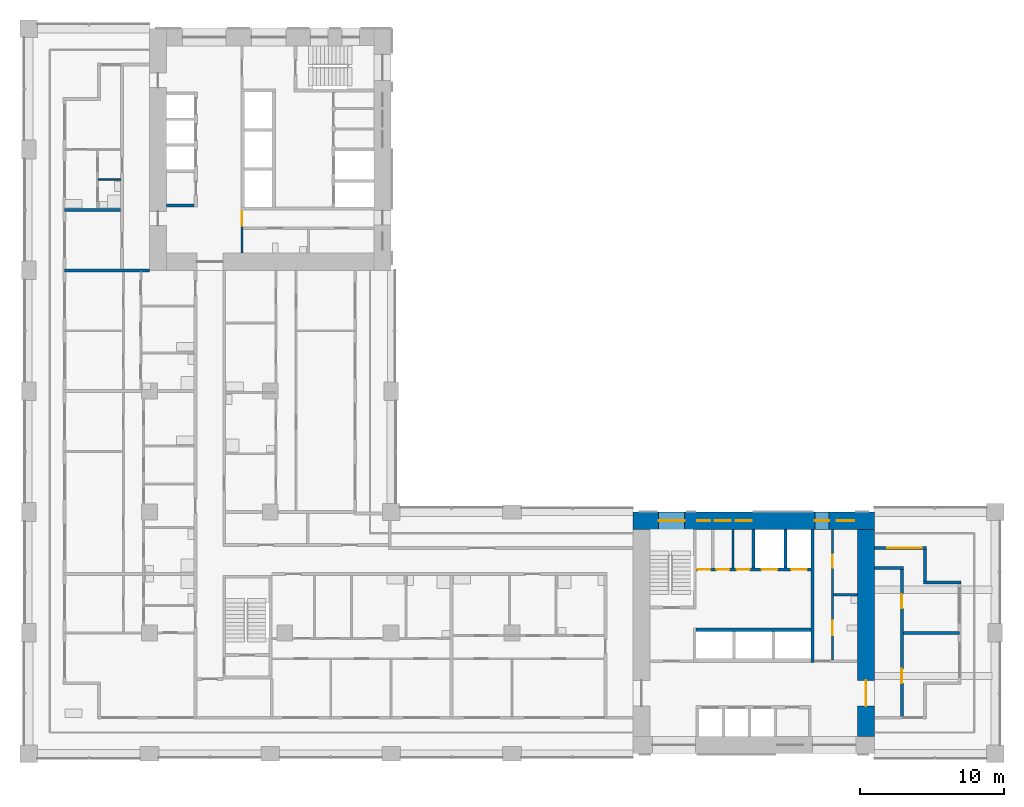
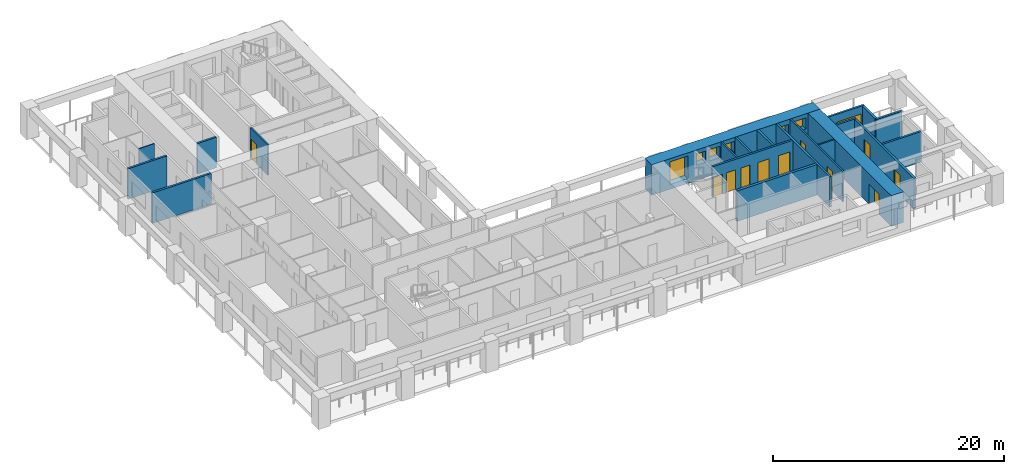
# One storey, part 6 of 17: 21 walls, 11 doors, 7 windows, 18 openings.
"""IFC4 building model written with IfcOpenShell, lengths in metres."""

from ifc_helpers import new_model, si_unit, direction, frame, frame_2d, origin, place, context, subcontext, project, spatial, rectangle, extrude, material, layer, layer_set, type_object, element, fill, save


model = new_model("IFC4")

# Units and contexts
model_context = context("Model", 3, precision=1e-05, world=origin(), true_north=direction((0.0, 1.0)))
body_context = subcontext(model_context, "Body", "Model", "MODEL_VIEW")
ifc_project = project(units=[si_unit("LENGTHUNIT", "METRE"), si_unit("AREAUNIT", "SQUARE_METRE"), si_unit("VOLUMEUNIT", "CUBIC_METRE"), si_unit("PLANEANGLEUNIT", "RADIAN"), si_unit("MASSUNIT", "GRAM", prefix="KILO")], contexts=[model_context])

# Site, building, storey
site_placement = place(None, origin())
site = spatial("IfcSite", under=ifc_project, at=site_placement, CompositionType="ELEMENT")
building_placement = place(site_placement, origin())
building = spatial("IfcBuilding", under=site, at=building_placement, Name="Vermilion Gate Residences", CompositionType="ELEMENT")
storey_placement = place(building_placement, frame((0.0, 0.0, 112.699951171875)))
storey = spatial("IfcBuildingStorey", under=building, at=storey_placement, Name="L28", CompositionType="ELEMENT", Elevation=112.699951171875)

# Walls
ifc_material_1 = material(Name="Masonry blockwork", Category="masonry")
ifc_layer_1 = layer(ifc_material_1, 0.14990234375)
ifc_layer_set_1 = layer_set([ifc_layer_1], Name="BLOCKWORK PARTITION 150 EI 120")
wall_type_1 = type_object("IfcWallType", Name="BLOCKWORK PARTITION 150 EI 120", PredefinedType="PARTITIONING", material=ifc_layer_set_1)
wall_1_placement = place(storey_placement, frame((48.965087890625, 21.300048828125, 0.0), z_axis=(0.0, 0.0, 1.0), x_axis=(0.0, 1.0, 0.0)))
element("IfcWall", 1, at=wall_1_placement, inside=storey, type_object=wall_type_1, Name="Core room partition A28-NR-P1", PredefinedType="PARTITIONING", context=body_context, shape_type="SweptSolid", body=[
    extrude(rectangle(XDim=2.699951171875, YDim=0.14990234375, at=frame_2d((1.35009765625, 0.0))), origin(), (0.0, 0.0, 1.0), 3.219970703125),
])
wall_2_placement = place(storey_placement, frame((55.949951171875, 19.449951171875, 0.0), z_axis=(0.0, 0.0, 1.0), x_axis=(1.0, 0.0, 0.0)))
element("IfcWall", 2, at=wall_2_placement, inside=storey, type_object=wall_type_1, Name="Core room partition A28-ES-P0", PredefinedType="PARTITIONING", context=body_context, shape_type="SweptSolid", body=[
    extrude(rectangle(XDim=1.650146484375, YDim=0.14990234375, at=frame_2d((0.8251953125, 0.0))), origin(), (0.0, 0.0, 1.0), 3.219970703125),
])

# Wall, openings, doors
wall_3_placement = place(storey_placement, frame((55.875, 14.89990234375, 0.0), z_axis=(0.0, 0.0, 1.0), x_axis=(0.0, 1.0, 0.0)))
wall_3 = element("IfcWall", 3, at=wall_3_placement, inside=storey, type_object=wall_type_1, Name="Core room partition A28-ES-W", PredefinedType="PARTITIONING", context=body_context, shape_type="SweptSolid", body=[
    extrude(rectangle(XDim=9.10009765625, YDim=0.14990234375, at=frame_2d((4.550048828125, 0.0))), origin(), (0.0, 0.0, 1.0), 3.219970703125),
])
opening_1_placement = place(wall_3_placement, frame((1.737548828125, 0.0, 0.0)))
opening_1 = element("IfcOpeningElement", 4, at=opening_1_placement, cuts=wall_3, Name="Opening DK28015", PredefinedType="OPENING", context=body_context, shape_type="SweptSolid", body=[
    extrude(rectangle(XDim=1.0, YDim=2.10009765625, at=frame_2d((0.5, 1.050048828125))), frame((0.0, 0.0849609375, 0.0), z_axis=(0.0, -1.0, 0.0), x_axis=(1.0, 0.0, 0.0)), (0.0, 0.0, 1.0), 0.169921875),
])
opening_2_placement = place(wall_3_placement, frame((6.41259765625, 0.0, 0.0)))
opening_2 = element("IfcOpeningElement", 5, at=opening_2_placement, cuts=wall_3, Name="Opening DK28016", PredefinedType="OPENING", context=body_context, shape_type="SweptSolid", body=[
    extrude(rectangle(XDim=0.89990234375, YDim=2.10009765625, at=frame_2d((0.449951171875, 1.050048828125))), frame((0.0, 0.0849609375, 0.0), z_axis=(0.0, -1.0, 0.0), x_axis=(1.0, 0.0, 0.0)), (0.0, 0.0, 1.0), 0.169921875),
])
ifc_material_2 = material(Name="Steel", Category="steel")
door_type_1 = type_object("IfcDoorType", Name="FIRE DOOR FD60 1000 X 2100", OperationType="SINGLE_SWING_LEFT", PredefinedType="DOOR", material=ifc_material_2)
door_1_placement = place(opening_1_placement, frame((1.0, 0.0, 0.0), z_axis=(0.0, 0.0, 1.0), x_axis=(-1.0, 0.0, 0.0)))
door_1 = element("IfcDoor", 6, at=door_1_placement, inside=storey, type_object=door_type_1, Name="Accessible WC A28", OperationType="SINGLE_SWING_RIGHT", OverallHeight=2.10009765625, OverallWidth=1.0, PredefinedType="DOOR", context=body_context, shape_type="SweptSolid", body=[
    extrude(rectangle(XDim=1.0, YDim=2.10009765625, at=frame_2d((0.5, 1.050048828125))), frame((0.0, 0.02490234375, 0.0), z_axis=(0.0, -1.0, 0.0), x_axis=(1.0, 0.0, 0.0)), (0.0, 0.0, 1.0), 0.050048828125),
])
fill(opening_1, door_1)
ifc_material_3 = material(Name="Steel", Category="steel")
door_type_2 = type_object("IfcDoorType", Name="SERVICE ROOM DOOR FD60 900 X 2100", OperationType="SINGLE_SWING_LEFT", PredefinedType="DOOR", material=ifc_material_3)
door_2_placement = place(opening_2_placement, frame((0.89990234375, 0.0, 0.0), z_axis=(0.0, 0.0, 1.0), x_axis=(-1.0, 0.0, 0.0)))
door_2 = element("IfcDoor", 7, at=door_2_placement, inside=storey, type_object=door_type_2, Name="Refuse room A28", OperationType="SINGLE_SWING_RIGHT", OverallHeight=2.10009765625, OverallWidth=0.89990234375, PredefinedType="DOOR", context=body_context, shape_type="SweptSolid", body=[
    extrude(rectangle(XDim=0.89990234375, YDim=2.10009765625, at=frame_2d((0.449951171875, 1.050048828125))), frame((0.0, 0.02490234375, 0.0), z_axis=(0.0, -1.0, 0.0), x_axis=(1.0, 0.0, 0.0)), (0.0, 0.0, 1.0), 0.050048828125),
])
fill(opening_2, door_2)

# Wall, opening, door
wall_4_placement = place(storey_placement, frame((14.824951171875, 46.199951171875, 0.0), z_axis=(0.0, 0.0, 1.0), x_axis=(0.0, -1.0, 0.0)))
wall_4 = element("IfcWall", 8, at=wall_4_placement, inside=storey, type_object=wall_type_1, Name="Core room partition B28-ES-S", PredefinedType="PARTITIONING", context=body_context, shape_type="SweptSolid", body=[
    extrude(rectangle(XDim=3.0, YDim=0.14990234375, at=frame_2d((1.5, 0.0))), origin(), (0.0, 0.0, 1.0), 3.219970703125),
])
opening_3_placement = place(wall_4_placement, frame((0.10009765625, 0.0, 0.0)))
opening_3 = element("IfcOpeningElement", 9, at=opening_3_placement, cuts=wall_4, Name="Opening DK28115", PredefinedType="OPENING", context=body_context, shape_type="SweptSolid", body=[
    extrude(rectangle(XDim=1.0, YDim=2.10009765625, at=frame_2d((0.5, 1.050048828125))), frame((0.0, 0.0849609375, 0.0), z_axis=(0.0, -1.0, 0.0), x_axis=(1.0, 0.0, 0.0)), (0.0, 0.0, 1.0), 0.169921875),
])
door_3_placement = place(opening_3_placement, frame((1.0, 0.0, 0.0), z_axis=(0.0, 0.0, 1.0), x_axis=(-1.0, 0.0, 0.0)))
door_3 = element("IfcDoor", 10, at=door_3_placement, inside=storey, type_object=door_type_1, Name="Service corridor door B28", OperationType="SINGLE_SWING_LEFT", OverallHeight=2.10009765625, OverallWidth=1.0, PredefinedType="DOOR", context=body_context, shape_type="SweptSolid", body=[
    extrude(rectangle(XDim=1.0, YDim=2.10009765625, at=frame_2d((0.5, 1.050048828125))), frame((0.0, 0.02490234375, 0.0), z_axis=(0.0, -1.0, 0.0), x_axis=(1.0, 0.0, 0.0)), (0.0, 0.0, 1.0), 0.050048828125),
])
fill(opening_3, door_3)

# Walls
ifc_material_4 = material(Name="Insulated steel stud wall with terracotta rainscreen", Category="masonry")
ifc_layer_2 = layer(ifc_material_4, 0.199951171875)
ifc_layer_set_2 = layer_set([ifc_layer_2], Name="EXTERNAL WALL 200 TERRACOTTA RAINSCREEN")
wall_type_2 = type_object("IfcWallType", Name="EXTERNAL WALL 200 TERRACOTTA RAINSCREEN", PredefinedType="SOLIDWALL", material=ifc_layer_set_2)
wall_5_placement = place(storey_placement, frame((64.800048828125, 20.300048828125, 0.0), z_axis=(0.0, 0.0, 1.0), x_axis=(-1.0, 0.0, 0.0)))
element("IfcWall", 11, at=wall_5_placement, inside=storey, type_object=wall_type_2, Name="External wall", PredefinedType="SOLIDWALL", context=body_context, shape_type="SweptSolid", body=[
    extrude(rectangle(XDim=2.60009765625, YDim=0.199951171875, at=frame_2d((1.300048828125, 0.0))), origin(), (0.0, 0.0, 1.0), 3.219970703125),
])
wall_6_placement = place(storey_placement, frame((62.300048828125, 20.39990234375, 0.0), z_axis=(0.0, 0.0, 1.0), x_axis=(0.0, 1.0, 0.0)))
element("IfcWall", 12, at=wall_6_placement, inside=storey, type_object=wall_type_2, Name="External wall", PredefinedType="SOLIDWALL", context=body_context, shape_type="SweptSolid", body=[
    extrude(rectangle(XDim=2.2001953125, YDim=0.199951171875, at=frame_2d((1.10009765625, 0.0))), origin(), (0.0, 0.0, 1.0), 3.219970703125),
])

# Wall, opening, window
wall_7_placement = place(storey_placement, frame((62.39990234375, 22.699951171875, 0.0), z_axis=(0.0, 0.0, 1.0), x_axis=(-1.0, 0.0, 0.0)))
wall_7 = element("IfcWall", 13, at=wall_7_placement, inside=storey, type_object=wall_type_2, Name="External wall", PredefinedType="SOLIDWALL", context=body_context, shape_type="SweptSolid", body=[
    extrude(rectangle(XDim=3.599853515625, YDim=0.199951171875, at=frame_2d((1.7998046875, 0.0))), origin(), (0.0, 0.0, 1.0), 3.219970703125),
])
opening_4_placement = place(wall_7_placement, frame((0.300048828125, 0.0, 0.89990234375)))
opening_4 = element("IfcOpeningElement", 14, at=opening_4_placement, cuts=wall_7, Name="Opening WE28023", PredefinedType="OPENING", context=body_context, shape_type="SweptSolid", body=[
    extrude(rectangle(XDim=2.39990234375, YDim=1.5, at=frame_2d((1.199951171875, 0.75))), frame((0.0, 0.10986328125, 0.0), z_axis=(0.0, -1.0, 0.0), x_axis=(1.0, 0.0, 0.0)), (0.0, 0.0, 1.0), 0.219970703125),
])
ifc_material_5 = material(Name="Aluminium and clear glass", Category="aluminium")
window_type_1 = type_object("IfcWindowType", Name="WINDOW 2400 X 1500", PartitioningType="SINGLE_PANEL", PredefinedType="WINDOW", material=ifc_material_5)
window_1_placement = place(opening_4_placement, origin())
window_1 = element("IfcWindow", 15, at=window_1_placement, inside=storey, type_object=window_type_1, Name="Window", OverallHeight=1.5, OverallWidth=2.39990234375, PartitioningType="SINGLE_PANEL", PredefinedType="WINDOW", context=body_context, shape_type="SweptSolid", body=[
    extrude(rectangle(XDim=2.39990234375, YDim=1.5, at=frame_2d((1.199951171875, 0.75))), frame((0.0, 0.030029296875, 0.0), z_axis=(0.0, -1.0, 0.0), x_axis=(1.0, 0.0, 0.0)), (0.0, 0.0, 1.0), 0.06005859375),
])
fill(opening_4, window_1)

# Walls
ifc_material_6 = material(Name="Plasterboard on steel studs", Category="steel")
ifc_layer_3 = layer(ifc_material_6, 0.10009765625)
ifc_layer_set_3 = layer_set([ifc_layer_3], Name="PARTITION 100")
wall_type_3 = type_object("IfcWallType", Name="PARTITION 100", PredefinedType="PARTITIONING", material=ifc_layer_set_3)
wall_8_placement = place(storey_placement, frame((4.85009765625, 48.300048828125, 0.0), z_axis=(0.0, 0.0, 1.0), x_axis=(1.0, 0.0, 0.0)))
element("IfcWall", 16, at=wall_8_placement, inside=storey, type_object=wall_type_3, Name="Partition", PredefinedType="PARTITIONING", context=body_context, shape_type="SweptSolid", body=[
    extrude(rectangle(XDim=1.5498046875, YDim=0.10009765625, at=frame_2d((0.77490234375, 0.0))), origin(), (0.0, 0.0, 1.0), 3.219970703125),
])
ifc_material_7 = material(Name="Fire-rated plasterboard on steel studs", Category="steel")
ifc_layer_4 = layer(ifc_material_7, 0.199951171875)
ifc_layer_set_4 = layer_set([ifc_layer_4], Name="PARTY WALL 200 EI 120")
wall_type_4 = type_object("IfcWallType", Name="PARTY WALL 200 EI 120", PredefinedType="PARTITIONING", material=ifc_layer_set_4)
wall_9_placement = place(storey_placement, frame((60.800048828125, 16.800048828125, 0.0), z_axis=(0.0, 0.0, 1.0), x_axis=(1.0, 0.0, 0.0)))
element("IfcWall", 17, at=wall_9_placement, inside=storey, type_object=wall_type_4, Name="Party and corridor wall", PredefinedType="PARTITIONING", context=body_context, shape_type="SweptSolid", body=[
    extrude(rectangle(XDim=3.89990234375, YDim=0.199951171875, at=frame_2d((1.949951171875, 0.0))), origin(), (0.0, 0.0, 1.0), 3.219970703125),
])
wall_10_placement = place(storey_placement, frame((58.800048828125, 21.300048828125, 0.0), z_axis=(0.0, 0.0, 1.0), x_axis=(1.0, 0.0, 0.0)))
element("IfcWall", 18, at=wall_10_placement, inside=storey, type_object=wall_type_4, Name="Party and corridor wall", PredefinedType="PARTITIONING", context=body_context, shape_type="SweptSolid", body=[
    extrude(rectangle(XDim=2.0, YDim=0.199951171875, at=frame_2d((1.0, 0.0))), origin(), (0.0, 0.0, 1.0), 3.219970703125),
])
wall_11_placement = place(storey_placement, frame((2.5, 42.0, 0.0), z_axis=(0.0, 0.0, 1.0), x_axis=(1.0, 0.0, 0.0)))
element("IfcWall", 19, at=wall_11_placement, inside=storey, type_object=wall_type_4, Name="Party and corridor wall", PredefinedType="PARTITIONING", context=body_context, shape_type="SweptSolid", body=[
    extrude(rectangle(XDim=5.89990234375, YDim=0.199951171875, at=frame_2d((2.949951171875, 0.0))), origin(), (0.0, 0.0, 1.0), 3.219970703125),
])
wall_12_placement = place(storey_placement, frame((2.5, 46.199951171875, 0.0), z_axis=(0.0, 0.0, 1.0), x_axis=(1.0, 0.0, 0.0)))
element("IfcWall", 20, at=wall_12_placement, inside=storey, type_object=wall_type_4, Name="Party and corridor wall", PredefinedType="PARTITIONING", context=body_context, shape_type="SweptSolid", body=[
    extrude(rectangle(XDim=3.89990234375, YDim=0.199951171875, at=frame_2d((1.949951171875, 0.0))), origin(), (0.0, 0.0, 1.0), 3.219970703125),
])

# Wall, openings, doors
wall_13_placement = place(storey_placement, frame((60.699951171875, 10.89990234375, 0.0), z_axis=(0.0, 0.0, 1.0), x_axis=(0.0, 1.0, 0.0)))
wall_13 = element("IfcWall", 21, at=wall_13_placement, inside=storey, type_object=wall_type_4, Name="Party and corridor wall", PredefinedType="PARTITIONING", context=body_context, shape_type="SweptSolid", body=[
    extrude(rectangle(XDim=10.300048828125, YDim=0.199951171875, at=frame_2d((5.14990234375, 0.0))), origin(), (0.0, 0.0, 1.0), 3.219970703125),
])
opening_5_placement = place(wall_13_placement, frame((2.39990234375, 0.0, 0.0)))
opening_5 = element("IfcOpeningElement", 22, at=opening_5_placement, cuts=wall_13, Name="Opening DA28049", PredefinedType="OPENING", context=body_context, shape_type="SweptSolid", body=[
    extrude(rectangle(XDim=1.0, YDim=2.10009765625, at=frame_2d((0.5, 1.050048828125))), frame((0.0, 0.10986328125, 0.0), z_axis=(0.0, -1.0, 0.0), x_axis=(1.0, 0.0, 0.0)), (0.0, 0.0, 1.0), 0.219970703125),
])
opening_6_placement = place(wall_13_placement, frame((7.60009765625, 0.0, 0.0)))
opening_6 = element("IfcOpeningElement", 23, at=opening_6_placement, cuts=wall_13, Name="Opening DA28050", PredefinedType="OPENING", context=body_context, shape_type="SweptSolid", body=[
    extrude(rectangle(XDim=1.0, YDim=2.10009765625, at=frame_2d((0.5, 1.050048828125))), frame((0.0, 0.10986328125, 0.0), z_axis=(0.0, -1.0, 0.0), x_axis=(1.0, 0.0, 0.0)), (0.0, 0.0, 1.0), 0.219970703125),
])
ifc_material_8 = material(Name="Steel", Category="steel")
door_type_3 = type_object("IfcDoorType", Name="ENTRANCE DOOR 1000 X 2100 FD30", OperationType="SINGLE_SWING_LEFT", PredefinedType="DOOR", material=ifc_material_8)
door_4_placement = place(opening_5_placement, frame((1.0, 0.0, 0.0), z_axis=(0.0, 0.0, 1.0), x_axis=(-1.0, 0.0, 0.0)))
door_4 = element("IfcDoor", 24, at=door_4_placement, inside=storey, type_object=door_type_3, Name="Entrance door", OperationType="SINGLE_SWING_RIGHT", OverallHeight=2.10009765625, OverallWidth=1.0, PredefinedType="DOOR", context=body_context, shape_type="SweptSolid", body=[
    extrude(rectangle(XDim=1.0, YDim=2.10009765625, at=frame_2d((0.5, 1.050048828125))), frame((0.0, 0.02490234375, 0.0), z_axis=(0.0, -1.0, 0.0), x_axis=(1.0, 0.0, 0.0)), (0.0, 0.0, 1.0), 0.050048828125),
])
fill(opening_5, door_4)
door_5_placement = place(opening_6_placement, frame((1.0, 0.0, 0.0), z_axis=(0.0, 0.0, 1.0), x_axis=(-1.0, 0.0, 0.0)))
door_5 = element("IfcDoor", 25, at=door_5_placement, inside=storey, type_object=door_type_3, Name="Entrance door", OperationType="SINGLE_SWING_RIGHT", OverallHeight=2.10009765625, OverallWidth=1.0, PredefinedType="DOOR", context=body_context, shape_type="SweptSolid", body=[
    extrude(rectangle(XDim=1.0, YDim=2.10009765625, at=frame_2d((0.5, 1.050048828125))), frame((0.0, 0.02490234375, 0.0), z_axis=(0.0, -1.0, 0.0), x_axis=(1.0, 0.0, 0.0)), (0.0, 0.0, 1.0), 0.050048828125),
])
fill(opening_6, door_5)

# Walls
ifc_material_9 = material(Name="Concrete C60", Category="concrete")
ifc_layer_5 = layer(ifc_material_9, 0.199951171875)
ifc_layer_set_5 = layer_set([ifc_layer_5], Name="RC CORE INTERNAL WALL 200 C60")
wall_type_5 = type_object("IfcWallType", Name="RC CORE INTERNAL WALL 200 C60", PredefinedType="SHEAR", material=ifc_layer_set_5)
for number, where, z_axis, x_axis, name in (
    (26, (50.39990234375, 21.300048828125, 0.0), (0.0, 0.0, 1.0), (0.0, 1.0, 0.0), "Core internal wall A28-FF-D0"),
    (27, (52.60009765625, 21.300048828125, 0.0), (0.0, 0.0, 1.0), (0.0, 1.0, 0.0), "Core internal wall A28-FF-D1"),
):
    element("IfcWall", number, at=place(storey_placement, frame(where, z_axis=z_axis, x_axis=x_axis)), inside=storey, type_object=wall_type_5, Name=name, PredefinedType="SHEAR", context=body_context, shape_type="SweptSolid", body=[
        extrude(rectangle(XDim=2.699951171875, YDim=0.199951171875, at=frame_2d((1.35009765625, 0.0))), origin(), (0.0, 0.0, 1.0), 3.219970703125),
    ])

# Wall, openings, doors
wall_14_placement = place(storey_placement, frame((46.39990234375, 21.199951171875, 0.0), z_axis=(0.0, 0.0, 1.0), x_axis=(1.0, 0.0, 0.0)))
wall_14 = element("IfcWall", 28, at=wall_14_placement, inside=storey, type_object=wall_type_5, Name="Core internal wall A28-FF-F", PredefinedType="SHEAR", context=body_context, shape_type="SweptSolid", body=[
    extrude(rectangle(XDim=8.0, YDim=0.199951171875, at=frame_2d((4.0, 0.0))), origin(), (0.0, 0.0, 1.0), 3.219970703125),
])
opening_7_placement = place(wall_14_placement, frame((0.090087890625, 0.0, 0.0)))
opening_7 = element("IfcOpeningElement", 29, at=opening_7_placement, cuts=wall_14, Name="Opening DK28007", PredefinedType="OPENING", context=body_context, shape_type="SweptSolid", body=[
    extrude(rectangle(XDim=0.89990234375, YDim=2.10009765625, at=frame_2d((0.449951171875, 1.050048828125))), frame((0.0, 0.10986328125, 0.0), z_axis=(0.0, -1.0, 0.0), x_axis=(1.0, 0.0, 0.0)), (0.0, 0.0, 1.0), 0.219970703125),
])
opening_8_placement = place(wall_14_placement, frame((1.409912109375, 0.0, 0.0)))
opening_8 = element("IfcOpeningElement", 30, at=opening_8_placement, cuts=wall_14, Name="Opening DK28008", PredefinedType="OPENING", context=body_context, shape_type="SweptSolid", body=[
    extrude(rectangle(XDim=0.89990234375, YDim=2.10009765625, at=frame_2d((0.449951171875, 1.050048828125))), frame((0.0, 0.10986328125, 0.0), z_axis=(0.0, -1.0, 0.0), x_axis=(1.0, 0.0, 0.0)), (0.0, 0.0, 1.0), 0.219970703125),
])
opening_9_placement = place(wall_14_placement, frame((2.820068359375, 0.0, 0.0)))
opening_9 = element("IfcOpeningElement", 31, at=opening_9_placement, cuts=wall_14, Name="Opening DK28009", PredefinedType="OPENING", context=body_context, shape_type="SweptSolid", body=[
    extrude(rectangle(XDim=0.89990234375, YDim=2.10009765625, at=frame_2d((0.449951171875, 1.050048828125))), frame((0.0, 0.10986328125, 0.0), z_axis=(0.0, -1.0, 0.0), x_axis=(1.0, 0.0, 0.0)), (0.0, 0.0, 1.0), 0.219970703125),
])
opening_10_placement = place(wall_14_placement, frame((4.550048828125, 0.0, 0.0)))
opening_10 = element("IfcOpeningElement", 32, at=opening_10_placement, cuts=wall_14, Name="Opening LD", PredefinedType="OPENING", context=body_context, shape_type="SweptSolid", body=[
    extrude(rectangle(XDim=1.10009765625, YDim=2.10009765625, at=frame_2d((0.550048828125, 1.050048828125))), frame((0.0, 0.10986328125, 0.0), z_axis=(0.0, -1.0, 0.0), x_axis=(1.0, 0.0, 0.0)), (0.0, 0.0, 1.0), 0.219970703125),
])
opening_11_placement = place(wall_14_placement, frame((6.60009765625, 0.0, 0.0)))
opening_11 = element("IfcOpeningElement", 33, at=opening_11_placement, cuts=wall_14, Name="Opening LD", PredefinedType="OPENING", context=body_context, shape_type="SweptSolid", body=[
    extrude(rectangle(XDim=1.10009765625, YDim=2.10009765625, at=frame_2d((0.550048828125, 1.050048828125))), frame((0.0, 0.10986328125, 0.0), z_axis=(0.0, -1.0, 0.0), x_axis=(1.0, 0.0, 0.0)), (0.0, 0.0, 1.0), 0.219970703125),
])
ifc_material_10 = material(Name="Stainless steel", Category="steel")
door_type_4 = type_object("IfcDoorType", Name="LIFT LANDING DOOR E60 1100 X 2100", OperationType="DOUBLE_DOOR_SLIDING", PredefinedType="DOOR", material=ifc_material_10)
door_6_placement = place(opening_10_placement, origin())
door_6 = element("IfcDoor", 34, at=door_6_placement, inside=storey, type_object=door_type_4, Name="Lift landing door LFA1", OperationType="DOUBLE_DOOR_SLIDING", OverallHeight=2.10009765625, OverallWidth=1.10009765625, PredefinedType="DOOR", context=body_context, shape_type="SweptSolid", body=[
    extrude(rectangle(XDim=1.10009765625, YDim=2.10009765625, at=frame_2d((0.550048828125, 1.050048828125))), frame((0.0, 0.02490234375, 0.0), z_axis=(0.0, -1.0, 0.0), x_axis=(1.0, 0.0, 0.0)), (0.0, 0.0, 1.0), 0.050048828125),
])
fill(opening_10, door_6)
door_7_placement = place(opening_11_placement, origin())
door_7 = element("IfcDoor", 35, at=door_7_placement, inside=storey, type_object=door_type_4, Name="Lift landing door LCA1", OperationType="DOUBLE_DOOR_SLIDING", OverallHeight=2.10009765625, OverallWidth=1.10009765625, PredefinedType="DOOR", context=body_context, shape_type="SweptSolid", body=[
    extrude(rectangle(XDim=1.10009765625, YDim=2.10009765625, at=frame_2d((0.550048828125, 1.050048828125))), frame((0.0, 0.02490234375, 0.0), z_axis=(0.0, -1.0, 0.0), x_axis=(1.0, 0.0, 0.0)), (0.0, 0.0, 1.0), 0.050048828125),
])
fill(opening_11, door_7)
door_8_placement = place(opening_7_placement, origin())
door_8 = element("IfcDoor", 36, at=door_8_placement, inside=storey, type_object=door_type_2, Name="Electrical riser A28", OperationType="SINGLE_SWING_RIGHT", OverallHeight=2.10009765625, OverallWidth=0.89990234375, PredefinedType="DOOR", context=body_context, shape_type="SweptSolid", body=[
    extrude(rectangle(XDim=0.89990234375, YDim=2.10009765625, at=frame_2d((0.449951171875, 1.050048828125))), frame((0.0, 0.02490234375, 0.0), z_axis=(0.0, -1.0, 0.0), x_axis=(1.0, 0.0, 0.0)), (0.0, 0.0, 1.0), 0.050048828125),
])
fill(opening_7, door_8)
door_9_placement = place(opening_8_placement, origin())
door_9 = element("IfcDoor", 37, at=door_9_placement, inside=storey, type_object=door_type_2, Name="Cleaner's store A28", OperationType="SINGLE_SWING_LEFT", OverallHeight=2.10009765625, OverallWidth=0.89990234375, PredefinedType="DOOR", context=body_context, shape_type="SweptSolid", body=[
    extrude(rectangle(XDim=0.89990234375, YDim=2.10009765625, at=frame_2d((0.449951171875, 1.050048828125))), frame((0.0, 0.02490234375, 0.0), z_axis=(0.0, -1.0, 0.0), x_axis=(1.0, 0.0, 0.0)), (0.0, 0.0, 1.0), 0.050048828125),
])
fill(opening_8, door_9)
door_10_placement = place(opening_9_placement, origin())
door_10 = element("IfcDoor", 38, at=door_10_placement, inside=storey, type_object=door_type_2, Name="Communications riser A28", OperationType="SINGLE_SWING_LEFT", OverallHeight=2.10009765625, OverallWidth=0.89990234375, PredefinedType="DOOR", context=body_context, shape_type="SweptSolid", body=[
    extrude(rectangle(XDim=0.89990234375, YDim=2.10009765625, at=frame_2d((0.449951171875, 1.050048828125))), frame((0.0, 0.02490234375, 0.0), z_axis=(0.0, -1.0, 0.0), x_axis=(1.0, 0.0, 0.0)), (0.0, 0.0, 1.0), 0.050048828125),
])
fill(opening_9, door_10)

# Walls
wall_15_placement = place(storey_placement, frame((54.5, 14.75, 0.0), z_axis=(0.0, 0.0, 1.0), x_axis=(0.0, 1.0, 0.0)))
element("IfcWall", 39, at=wall_15_placement, inside=storey, type_object=wall_type_5, Name="Core internal wall A28-EDIV", PredefinedType="SHEAR", context=body_context, shape_type="SweptSolid", body=[
    extrude(rectangle(XDim=9.25, YDim=0.199951171875, at=frame_2d((4.625, 0.0))), origin(), (0.0, 0.0, 1.0), 3.219970703125),
])
wall_16_placement = place(storey_placement, frame((9.60009765625, 46.5, 0.0), z_axis=(0.0, 0.0, 1.0), x_axis=(1.0, 0.0, 0.0)))
element("IfcWall", 40, at=wall_16_placement, inside=storey, type_object=wall_type_5, Name="Core internal wall B28-LR-DE", PredefinedType="SHEAR", context=body_context, shape_type="SweptSolid", body=[
    extrude(rectangle(XDim=1.89990234375, YDim=0.199951171875, at=frame_2d((0.949951171875, 0.0))), origin(), (0.0, 0.0, 1.0), 3.219970703125),
])

# Wall, opening, door
ifc_material_11 = material(Name="Concrete C70", Category="concrete")
ifc_layer_6 = layer(ifc_material_11, 1.199951171875)
ifc_layer_set_6 = layer_set([ifc_layer_6], Name="RC CORE WALL 1200 C70")
wall_type_6 = type_object("IfcWallType", Name="RC CORE WALL 1200 C70", PredefinedType="SHEAR", material=ifc_layer_set_6)
wall_17_placement = place(storey_placement, frame((58.199951171875, 9.60009765625, 0.0), z_axis=(0.0, 0.0, 1.0), x_axis=(0.0, 1.0, 0.0)))
wall_17 = element("IfcWall", 41, at=wall_17_placement, inside=storey, type_object=wall_type_6, Name="Core wall A28-OUT-BK", PredefinedType="SHEAR", context=body_context, shape_type="SweptSolid", body=[
    extrude(rectangle(XDim=14.39990234375, YDim=1.199951171875, at=frame_2d((7.199951171875, 0.0))), origin(), (0.0, 0.0, 1.0), 3.219970703125),
])
opening_12_placement = place(wall_17_placement, frame((2.10009765625, 0.0, 0.0)))
opening_12 = element("IfcOpeningElement", 42, at=opening_12_placement, cuts=wall_17, Name="Opening DK28002", PredefinedType="OPENING", context=body_context, shape_type="SweptSolid", body=[
    extrude(rectangle(XDim=1.800048828125, YDim=2.10009765625, at=frame_2d((0.89990234375, 1.050048828125))), frame((0.0, 0.60986328125, 0.0), z_axis=(0.0, -1.0, 0.0), x_axis=(1.0, 0.0, 0.0)), (0.0, 0.0, 1.0), 1.219970703125),
])
ifc_material_12 = material(Name="Steel", Category="steel")
door_type_5 = type_object("IfcDoorType", Name="CORE LOBBY DOOR FD60 1800 X 2100", OperationType="DOUBLE_DOOR_SINGLE_SWING", PredefinedType="DOOR", material=ifc_material_12)
door_11_placement = place(opening_12_placement, origin())
door_11 = element("IfcDoor", 43, at=door_11_placement, inside=storey, type_object=door_type_5, Name="Core lobby door A28", OperationType="DOUBLE_DOOR_SINGLE_SWING", OverallHeight=2.10009765625, OverallWidth=1.800048828125, PredefinedType="DOOR", context=body_context, shape_type="SweptSolid", body=[
    extrude(rectangle(XDim=1.800048828125, YDim=2.10009765625, at=frame_2d((0.89990234375, 1.050048828125))), frame((0.0, 0.02490234375, 0.0), z_axis=(0.0, -1.0, 0.0), x_axis=(1.0, 0.0, 0.0)), (0.0, 0.0, 1.0), 0.050048828125),
])
fill(opening_12, door_11)

# Wall, openings, windows
ifc_material_13 = material(Name="Concrete C70 red-oxide pigmented", Category="concrete")
ifc_layer_7 = layer(ifc_material_13, 1.199951171875)
ifc_layer_set_7 = layer_set([ifc_layer_7], Name="RC CORE WALL 1200 C70 RED OXIDE")
wall_type_7 = type_object("IfcWallType", Name="RC CORE WALL 1200 C70 RED OXIDE", PredefinedType="SHEAR", material=ifc_layer_set_7)
wall_18_placement = place(storey_placement, frame((42.0, 24.60009765625, 0.0), z_axis=(0.0, 0.0, 1.0), x_axis=(1.0, 0.0, 0.0)))
wall_18 = element("IfcWall", 44, at=wall_18_placement, inside=storey, type_object=wall_type_7, Name="Core wall A28-OUT-B1", PredefinedType="SHEAR", context=body_context, shape_type="SweptSolid", body=[
    extrude(rectangle(XDim=16.800048828125, YDim=1.199951171875, at=frame_2d((8.39990234375, 0.0))), origin(), (0.0, 0.0, 1.0), 3.219970703125),
])
opening_13_placement = place(wall_18_placement, frame((1.800048828125, 0.0, 0.5)))
opening_13 = element("IfcOpeningElement", 45, at=opening_13_placement, cuts=wall_18, Name="Opening WKA2804", PredefinedType="OPENING", context=body_context, shape_type="SweptSolid", body=[
    extrude(rectangle(XDim=1.800048828125, YDim=2.39990234375, at=frame_2d((0.89990234375, 1.199951171875))), frame((0.0, 0.60986328125, 0.0), z_axis=(0.0, -1.0, 0.0), x_axis=(1.0, 0.0, 0.0)), (0.0, 0.0, 1.0), 1.219970703125),
])
opening_14_placement = place(wall_18_placement, frame((4.489990234375, 0.0, 1.60009765625)))
opening_14 = element("IfcOpeningElement", 46, at=opening_14_placement, cuts=wall_18, Name="Opening WKA2805", PredefinedType="OPENING", context=body_context, shape_type="SweptSolid", body=[
    extrude(rectangle(XDim=0.89990234375, YDim=1.199951171875, at=frame_2d((0.449951171875, 0.60009765625))), frame((0.0, 0.60986328125, 0.0), z_axis=(0.0, -1.0, 0.0), x_axis=(1.0, 0.0, 0.0)), (0.0, 0.0, 1.0), 1.219970703125),
])
opening_15_placement = place(wall_18_placement, frame((5.7099609375, 0.0, 1.60009765625)))
opening_15 = element("IfcOpeningElement", 47, at=opening_15_placement, cuts=wall_18, Name="Opening WKA2806", PredefinedType="OPENING", context=body_context, shape_type="SweptSolid", body=[
    extrude(rectangle(XDim=1.10009765625, YDim=1.199951171875, at=frame_2d((0.550048828125, 0.60009765625))), frame((0.0, 0.60986328125, 0.0), z_axis=(0.0, -1.0, 0.0), x_axis=(1.0, 0.0, 0.0)), (0.0, 0.0, 1.0), 1.219970703125),
])
opening_16_placement = place(wall_18_placement, frame((7.14990234375, 0.0, 1.60009765625)))
opening_16 = element("IfcOpeningElement", 48, at=opening_16_placement, cuts=wall_18, Name="Opening WKA2807", PredefinedType="OPENING", context=body_context, shape_type="SweptSolid", body=[
    extrude(rectangle(XDim=1.10009765625, YDim=1.199951171875, at=frame_2d((0.550048828125, 0.60009765625))), frame((0.0, 0.60986328125, 0.0), z_axis=(0.0, -1.0, 0.0), x_axis=(1.0, 0.0, 0.0)), (0.0, 0.0, 1.0), 1.219970703125),
])
opening_17_placement = place(wall_18_placement, frame((12.64990234375, 0.0, 0.60009765625)))
opening_17 = element("IfcOpeningElement", 49, at=opening_17_placement, cuts=wall_18, Name="Opening WKA2808", PredefinedType="OPENING", context=body_context, shape_type="SweptSolid", body=[
    extrude(rectangle(XDim=1.0, YDim=2.10009765625, at=frame_2d((0.5, 1.050048828125))), frame((0.0, 0.60986328125, 0.0), z_axis=(0.0, -1.0, 0.0), x_axis=(1.0, 0.0, 0.0)), (0.0, 0.0, 1.0), 1.219970703125),
])
opening_18_placement = place(wall_18_placement, frame((14.175048828125, 0.0, 1.60009765625)))
opening_18 = element("IfcOpeningElement", 50, at=opening_18_placement, cuts=wall_18, Name="Opening WKA2809", PredefinedType="OPENING", context=body_context, shape_type="SweptSolid", body=[
    extrude(rectangle(XDim=1.199951171875, YDim=1.199951171875, at=frame_2d((0.60009765625, 0.60009765625))), frame((0.0, 0.60986328125, 0.0), z_axis=(0.0, -1.0, 0.0), x_axis=(1.0, 0.0, 0.0)), (0.0, 0.0, 1.0), 1.219970703125),
])
ifc_material_14 = material(Name="Aluminium and clear glass", Category="aluminium")
window_type_2 = type_object("IfcWindowType", Name="CORE CORRIDOR WINDOW 1000 X 2100", PartitioningType="SINGLE_PANEL", PredefinedType="WINDOW", material=ifc_material_14)
window_2_placement = place(opening_17_placement, origin())
window_2 = element("IfcWindow", 51, at=window_2_placement, inside=storey, type_object=window_type_2, Name="Core corridor window", OverallHeight=2.10009765625, OverallWidth=1.0, PartitioningType="SINGLE_PANEL", PredefinedType="WINDOW", context=body_context, shape_type="SweptSolid", body=[
    extrude(rectangle(XDim=1.0, YDim=2.10009765625, at=frame_2d((0.5, 1.050048828125))), frame((0.0, 0.030029296875, 0.0), z_axis=(0.0, -1.0, 0.0), x_axis=(1.0, 0.0, 0.0)), (0.0, 0.0, 1.0), 0.06005859375),
])
fill(opening_17, window_2)
ifc_material_15 = material(Name="Aluminium frame with louvre blades", Category="aluminium")
window_type_3 = type_object("IfcWindowType", Name="CORE LOUVRE 1100 X 1200", PartitioningType="SINGLE_PANEL", PredefinedType="WINDOW", material=ifc_material_15)
window_3_placement = place(opening_15_placement, origin())
window_3 = element("IfcWindow", 52, at=window_3_placement, inside=storey, type_object=window_type_3, Name="Core louvre", OverallHeight=1.199951171875, OverallWidth=1.10009765625, PartitioningType="SINGLE_PANEL", PredefinedType="WINDOW", context=body_context, shape_type="SweptSolid", body=[
    extrude(rectangle(XDim=1.10009765625, YDim=1.199951171875, at=frame_2d((0.550048828125, 0.60009765625))), frame((0.0, 0.030029296875, 0.0), z_axis=(0.0, -1.0, 0.0), x_axis=(1.0, 0.0, 0.0)), (0.0, 0.0, 1.0), 0.06005859375),
])
fill(opening_15, window_3)
window_4_placement = place(opening_16_placement, origin())
window_4 = element("IfcWindow", 53, at=window_4_placement, inside=storey, type_object=window_type_3, Name="Core louvre", OverallHeight=1.199951171875, OverallWidth=1.10009765625, PartitioningType="SINGLE_PANEL", PredefinedType="WINDOW", context=body_context, shape_type="SweptSolid", body=[
    extrude(rectangle(XDim=1.10009765625, YDim=1.199951171875, at=frame_2d((0.550048828125, 0.60009765625))), frame((0.0, 0.030029296875, 0.0), z_axis=(0.0, -1.0, 0.0), x_axis=(1.0, 0.0, 0.0)), (0.0, 0.0, 1.0), 0.06005859375),
])
fill(opening_16, window_4)
ifc_material_16 = material(Name="Aluminium frame with louvre blades", Category="aluminium")
window_type_4 = type_object("IfcWindowType", Name="CORE LOUVRE 1200 X 1200", PartitioningType="SINGLE_PANEL", PredefinedType="WINDOW", material=ifc_material_16)
window_5_placement = place(opening_18_placement, origin())
window_5 = element("IfcWindow", 54, at=window_5_placement, inside=storey, type_object=window_type_4, Name="Core louvre", OverallHeight=1.199951171875, OverallWidth=1.199951171875, PartitioningType="SINGLE_PANEL", PredefinedType="WINDOW", context=body_context, shape_type="SweptSolid", body=[
    extrude(rectangle(XDim=1.199951171875, YDim=1.199951171875, at=frame_2d((0.60009765625, 0.60009765625))), frame((0.0, 0.030029296875, 0.0), z_axis=(0.0, -1.0, 0.0), x_axis=(1.0, 0.0, 0.0)), (0.0, 0.0, 1.0), 0.06005859375),
])
fill(opening_18, window_5)
ifc_material_17 = material(Name="Aluminium frame with louvre blades", Category="aluminium")
window_type_5 = type_object("IfcWindowType", Name="CORE LOUVRE 900 X 1200", PartitioningType="SINGLE_PANEL", PredefinedType="WINDOW", material=ifc_material_17)
window_6_placement = place(opening_14_placement, origin())
window_6 = element("IfcWindow", 55, at=window_6_placement, inside=storey, type_object=window_type_5, Name="Core louvre", OverallHeight=1.199951171875, OverallWidth=0.89990234375, PartitioningType="SINGLE_PANEL", PredefinedType="WINDOW", context=body_context, shape_type="SweptSolid", body=[
    extrude(rectangle(XDim=0.89990234375, YDim=1.199951171875, at=frame_2d((0.449951171875, 0.60009765625))), frame((0.0, 0.030029296875, 0.0), z_axis=(0.0, -1.0, 0.0), x_axis=(1.0, 0.0, 0.0)), (0.0, 0.0, 1.0), 0.06005859375),
])
fill(opening_14, window_6)
ifc_material_18 = material(Name="Aluminium and clear glass", Category="aluminium")
window_type_6 = type_object("IfcWindowType", Name="CORE STAIR WINDOW 1800 X 2400", PartitioningType="SINGLE_PANEL", PredefinedType="WINDOW", material=ifc_material_18)
window_7_placement = place(opening_13_placement, origin())
window_7 = element("IfcWindow", 56, at=window_7_placement, inside=storey, type_object=window_type_6, Name="Core stair window", OverallHeight=2.39990234375, OverallWidth=1.800048828125, PartitioningType="SINGLE_PANEL", PredefinedType="WINDOW", context=body_context, shape_type="SweptSolid", body=[
    extrude(rectangle(XDim=1.800048828125, YDim=2.39990234375, at=frame_2d((0.89990234375, 1.199951171875))), frame((0.0, 0.030029296875, 0.0), z_axis=(0.0, -1.0, 0.0), x_axis=(1.0, 0.0, 0.0)), (0.0, 0.0, 1.0), 0.06005859375),
])
fill(opening_13, window_7)

# Wall
ifc_material_19 = material(Name="Concrete C60", Category="concrete")
ifc_layer_8 = layer(ifc_material_19, 0.25)
ifc_layer_set_8 = layer_set([ifc_layer_8], Name="RC LIFT SHAFT WALL 250 C60")
wall_type_8 = type_object("IfcWallType", Name="RC LIFT SHAFT WALL 250 C60", PredefinedType="SHEAR", material=ifc_layer_set_8)
wall_19_placement = place(storey_placement, frame((46.39990234375, 17.02490234375, 0.0), z_axis=(0.0, 0.0, 1.0), x_axis=(1.0, 0.0, 0.0)))
element("IfcWall", 57, at=wall_19_placement, inside=storey, type_object=wall_type_8, Name="Lift shaft wall A28-HR-B", PredefinedType="SHEAR", context=body_context, shape_type="SweptSolid", body=[
    extrude(rectangle(XDim=8.0, YDim=0.25, at=frame_2d((4.0, 0.0))), origin(), (0.0, 0.0, 1.0), 3.219970703125),
])

save(model, "model.ifc")
